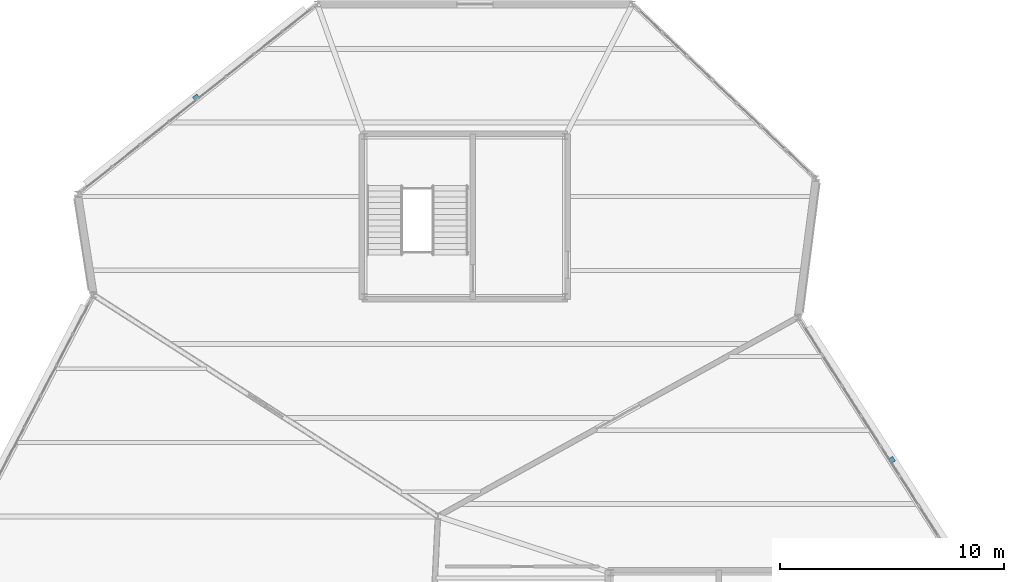
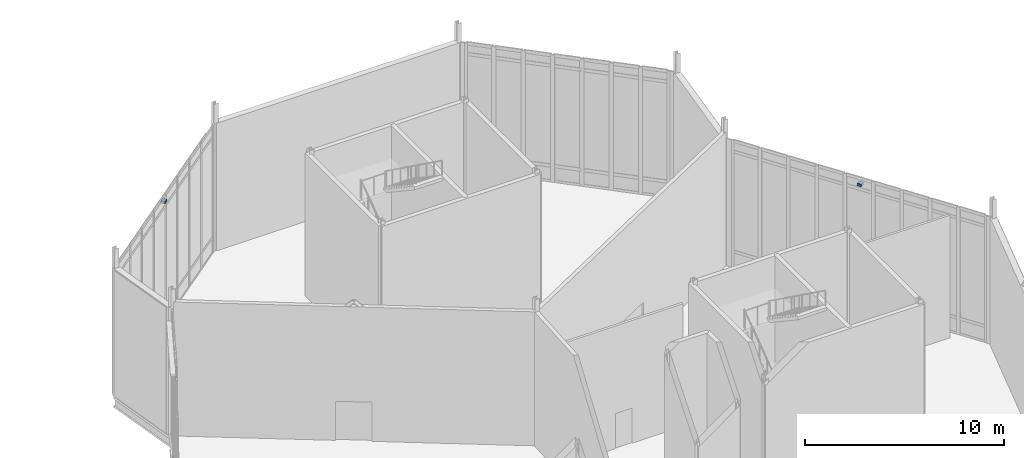
# One storey, part 63 of 66: 2 discrete accessories.
"""IFC4 building model written with IfcOpenShell, lengths in metres."""

from ifc_helpers import new_model, si_unit, direction, frame, origin, origin_2d, place, context, subcontext, project, spatial, rectangle, extrude, material, type_object, element, save


model = new_model("IFC4")

# Units and contexts
model_context = context("Model", 3, precision=1e-05, world=origin(), true_north=direction((0.0, 1.0)))
body_context = subcontext(model_context, "Body", "Model", "MODEL_VIEW")
ifc_project = project(units=[si_unit("LENGTHUNIT", "METRE"), si_unit("AREAUNIT", "SQUARE_METRE"), si_unit("VOLUMEUNIT", "CUBIC_METRE"), si_unit("PLANEANGLEUNIT", "RADIAN"), si_unit("MASSUNIT", "GRAM", prefix="KILO")], contexts=[model_context])

# Site, building, storey
site_placement = place(None, origin())
site = spatial("IfcSite", under=ifc_project, at=site_placement, CompositionType="ELEMENT")
building_placement = place(site_placement, origin())
building = spatial("IfcBuilding", under=site, at=building_placement, Name="Tameran Prism Museum", CompositionType="ELEMENT")
storey_placement = place(building_placement, frame((0.0, 0.0, 19.800048828125)))
storey = spatial("IfcBuildingStorey", under=building, at=storey_placement, Name="L04", CompositionType="ELEMENT", Elevation=19.800048828125)

# Discrete accessories
ifc_material = material(Name="Galvanized Steel Grade 350 (350 MPa)", Category="steel")
discrete_accessory_type = type_object("IfcDiscreteAccessoryType", Name="DA-BRK-STL", PredefinedType="BRACKET", material=ifc_material)
for number, where, z_axis, x_axis, name in (
    (1, (139.0830078125, 91.617919921875, 7.2900390625), (0.0, 0.0, 1.0), (0.539358796389, -0.842076058773, 0.0), "Facade Sunshade Bracket BK-067"),
    (2, (108.0, 107.81298828125, 7.2900390625), (0.0, 0.0, 1.0), (0.783042563302, 0.621968121415, 0.0), "Facade Sunshade Bracket BK-068"),
):
    element("IfcDiscreteAccessory", number, at=place(storey_placement, frame(where, z_axis=z_axis, x_axis=x_axis)), inside=storey, type_object=discrete_accessory_type, Name=name, PredefinedType="BRACKET", context=body_context, shape_type="SweptSolid", body=[
        extrude(rectangle(XDim=0.239990234375, YDim=0.239990234375, at=origin_2d()), origin(), (0.0, 0.0, 1.0), 0.159912109375),
    ])

save(model, "model.ifc")
